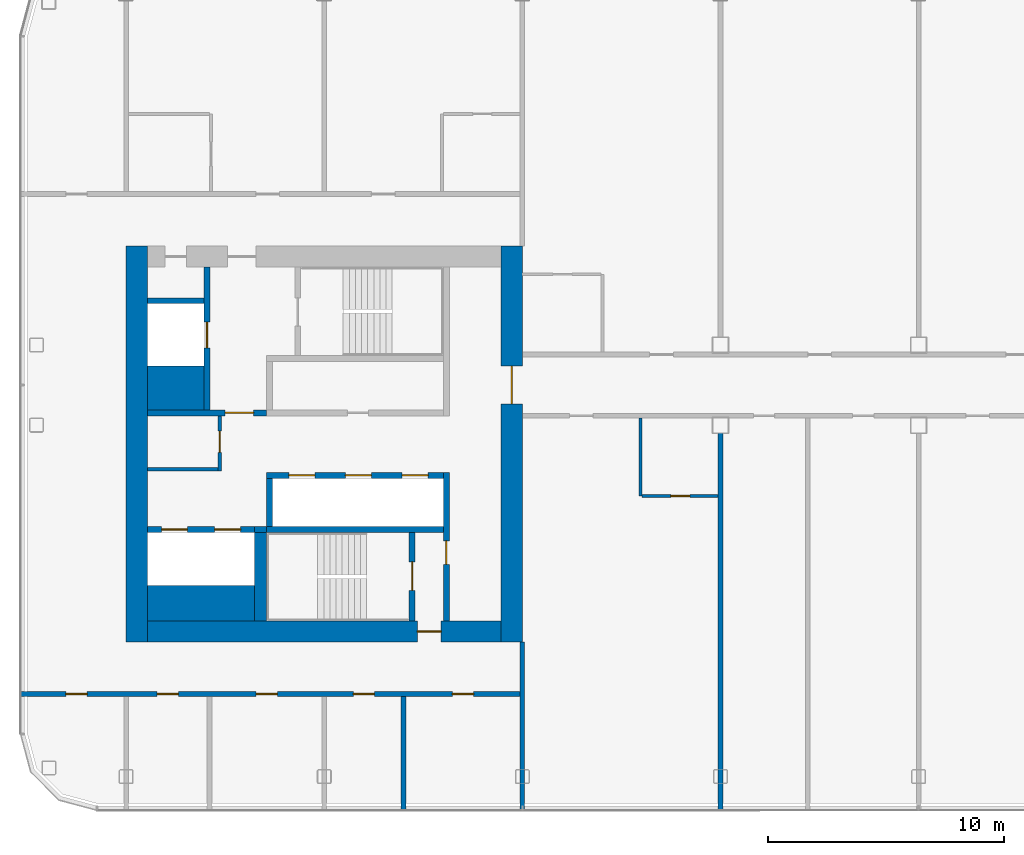
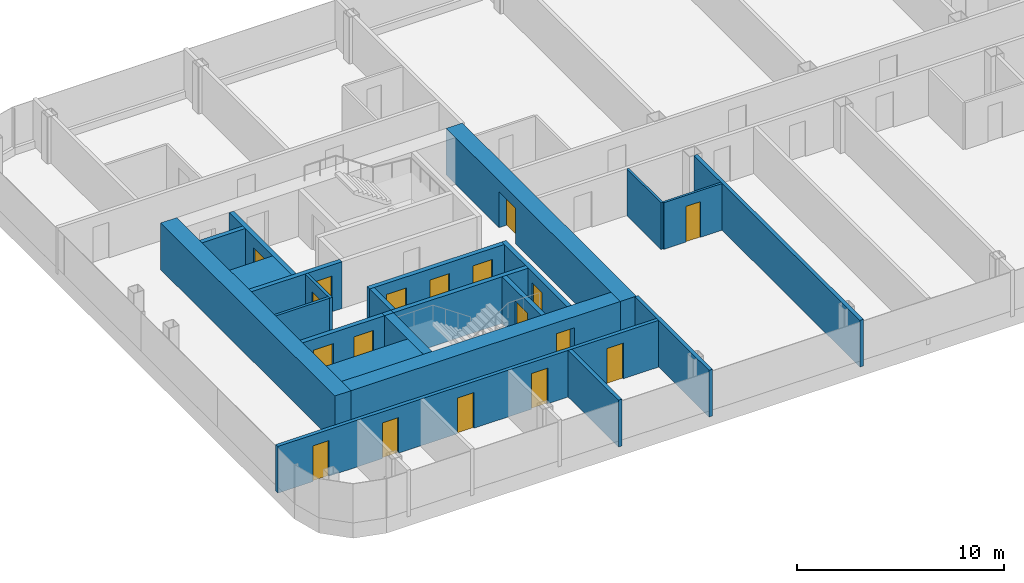
# One storey, part 13 of 25: 24 walls, 18 doors, 18 openings.
"""IFC4 building model written with IfcOpenShell, lengths in metres."""

from ifc_helpers import new_model, si_unit, direction, frame, frame_2d, origin, place, context, subcontext, project, spatial, rectangle, extrude, material, layer, layer_set, type_object, element, fill, save


model = new_model("IFC4")

# Units and contexts
model_context = context("Model", 3, precision=1e-05, world=origin(), true_north=direction((0.0, 1.0)))
body_context = subcontext(model_context, "Body", "Model", "MODEL_VIEW")
ifc_project = project(units=[si_unit("LENGTHUNIT", "METRE"), si_unit("AREAUNIT", "SQUARE_METRE"), si_unit("VOLUMEUNIT", "CUBIC_METRE"), si_unit("PLANEANGLEUNIT", "RADIAN"), si_unit("MASSUNIT", "GRAM", prefix="KILO")], contexts=[model_context])

# Site, building, storey
site_placement = place(None, origin())
site = spatial("IfcSite", under=ifc_project, at=site_placement, CompositionType="ELEMENT")
building_placement = place(site_placement, origin())
building = spatial("IfcBuilding", under=site, at=building_placement, Name="Hakoniwa Tower and Hamabe Station Hall", CompositionType="ELEMENT")
storey_placement = place(building_placement, frame((0.0, 0.0, 202.60009765625)))
storey = spatial("IfcBuildingStorey", under=building, at=storey_placement, Name="L57", CompositionType="ELEMENT", Elevation=202.60009765625)

# Wall, opening, door
ifc_material_1 = material(Name="Gypsum board partition", Category="gypsum")
ifc_layer_1 = layer(ifc_material_1, 0.125)
ifc_layer_set_1 = layer_set([ifc_layer_1], Name="Bathroom Partition 125")
wall_type_1 = type_object("IfcWallType", Name="Bathroom Partition 125", PredefinedType="PARTITIONING", material=ifc_layer_set_1)
wall_1_placement = place(storey_placement, frame((-11.737548828125, -2.199951171875, 0.0), z_axis=(0.0, 0.0, 1.0), x_axis=(1.0, 0.0, 0.0)))
wall_1 = element("IfcWall", 1, at=wall_1_placement, inside=storey, type_object=wall_type_1, Name="GW-L57-003", PredefinedType="PARTITIONING", context=body_context, shape_type="SweptSolid", body=[
    extrude(rectangle(XDim=3.237548828125, YDim=0.125, at=frame_2d((1.61865234375, 0.0))), origin(), (0.0, 0.0, 1.0), 2.75),
])
opening_1_placement = place(wall_1_placement, frame((1.237548828125, 0.0, 0.0)))
opening_1 = element("IfcOpeningElement", 2, at=opening_1_placement, cuts=wall_1, Name="Opening GD-G4A1-10", PredefinedType="OPENING", context=body_context, shape_type="SweptSolid", body=[
    extrude(rectangle(XDim=0.800048828125, YDim=2.10009765625, at=frame_2d((0.39990234375, 1.050048828125))), frame((0.0, 0.072509765625, 0.0), z_axis=(0.0, -1.0, 0.0), x_axis=(1.0, 0.0, 0.0)), (0.0, 0.0, 1.0), 0.14501953125),
])
ifc_material_2 = material(Name="Timber door leaf", Category="wood")
door_type_1 = type_object("IfcDoorType", Name="Bathroom Door 800", OperationType="SINGLE_SWING_LEFT", PredefinedType="DOOR", material=ifc_material_2)
door_1_placement = place(opening_1_placement, origin())
door_1 = element("IfcDoor", 3, at=door_1_placement, inside=storey, type_object=door_type_1, Name="Door GD-G4A1-10", OperationType="SINGLE_SWING_RIGHT", OverallHeight=2.10009765625, OverallWidth=0.800048828125, PredefinedType="DOOR", context=body_context, shape_type="SweptSolid", body=[
    extrude(rectangle(XDim=0.800048828125, YDim=2.10009765625, at=frame_2d((0.39990234375, 1.050048828125))), frame((0.0, 0.02490234375, 0.0), z_axis=(0.0, -1.0, 0.0), x_axis=(1.0, 0.0, 0.0)), (0.0, 0.0, 1.0), 0.050048828125),
])
fill(opening_1, door_1)

# Wall
wall_2_placement = place(storey_placement, frame((-11.800048828125, -2.199951171875, 0.0), z_axis=(0.0, 0.0, 1.0), x_axis=(0.0, 1.0, 0.0)))
element("IfcWall", 4, at=wall_2_placement, inside=storey, type_object=wall_type_1, Name="GW-L57-026", PredefinedType="PARTITIONING", context=body_context, shape_type="SweptSolid", body=[
    extrude(rectangle(XDim=3.300048828125, YDim=0.125, at=frame_2d((1.64990234375, 0.0))), origin(), (0.0, 0.0, 1.0), 2.75),
])

# Wall, opening, door
ifc_material_3 = material(Name="Gypsum board partition")
ifc_layer_2 = layer(ifc_material_3, 0.14990234375)
ifc_layer_set_2 = layer_set([ifc_layer_2], Name="CORE PARTITION 150 EI 60")
wall_type_2 = type_object("IfcWallType", Name="CORE PARTITION 150 EI 60", PredefinedType="PARTITIONING", material=ifc_layer_set_2)
wall_3_placement = place(storey_placement, frame((-29.625, -1.14990234375, 0.0), z_axis=(0.0, 0.0, 1.0), x_axis=(0.0, 1.0, 0.0)))
wall_3 = element("IfcWall", 5, at=wall_3_placement, inside=storey, type_object=wall_type_2, Name="Core partition PW0 west", PredefinedType="PARTITIONING", context=body_context, shape_type="SweptSolid", body=[
    extrude(rectangle(XDim=2.349853515625, YDim=0.14990234375, at=frame_2d((1.1748046875, 0.0))), origin(), (0.0, 0.0, 1.0), 2.75),
])
opening_2_placement = place(wall_3_placement, frame((0.800048828125, 0.0, 0.0)))
opening_2 = element("IfcOpeningElement", 6, at=opening_2_placement, cuts=wall_3, Name="Opening CD-W-RM1-9", PredefinedType="OPENING", context=body_context, shape_type="SweptSolid", body=[
    extrude(rectangle(XDim=0.89990234375, YDim=2.10009765625, at=frame_2d((0.449951171875, 1.050048828125))), frame((0.0, 0.0849609375, 0.0), z_axis=(0.0, -1.0, 0.0), x_axis=(1.0, 0.0, 0.0)), (0.0, 0.0, 1.0), 0.169921875),
])
ifc_material_4 = material(Name="Steel fire door", Category="steel")
door_type_2 = type_object("IfcDoorType", Name="CORE DOOR 900 FD30", OperationType="NOTDEFINED", PredefinedType="DOOR", material=ifc_material_4)
door_2_placement = place(opening_2_placement, origin())
door_2 = element("IfcDoor", 7, at=door_2_placement, inside=storey, type_object=door_type_2, Name="Store room door", OperationType="SINGLE_SWING_RIGHT", OverallHeight=2.10009765625, OverallWidth=0.89990234375, PredefinedType="DOOR", context=body_context, shape_type="SweptSolid", body=[
    extrude(rectangle(XDim=0.89990234375, YDim=2.10009765625, at=frame_2d((0.449951171875, 1.050048828125))), frame((0.0, 0.02490234375, 0.0), z_axis=(0.0, -1.0, 0.0), x_axis=(1.0, 0.0, 0.0)), (0.0, 0.0, 1.0), 0.050048828125),
])
fill(opening_2, door_2)

# Wall
wall_4_placement = place(storey_placement, frame((-32.699951171875, -1.074951171875, 0.0), z_axis=(0.0, 0.0, 1.0), x_axis=(1.0, 0.0, 0.0)))
element("IfcWall", 8, at=wall_4_placement, inside=storey, type_object=wall_type_2, Name="Core partition PS west", PredefinedType="PARTITIONING", context=body_context, shape_type="SweptSolid", body=[
    extrude(rectangle(XDim=3.0, YDim=0.14990234375, at=frame_2d((1.5, 0.0))), origin(), (0.0, 0.0, 1.0), 2.75),
])

# Wall, opening, door
ifc_material_5 = material(Name="Concrete C60", Category="concrete")
ifc_layer_3 = layer(ifc_material_5, 0.89990234375)
ifc_layer_set_3 = layer_set([ifc_layer_3], Name="CORE WALL 900 C60")
wall_type_3 = type_object("IfcWallType", Name="CORE WALL 900 C60", PredefinedType="SHEAR", material=ifc_layer_set_3)
wall_5_placement = place(storey_placement, frame((-17.25, -8.39990234375, 0.0), z_axis=(0.0, 0.0, 1.0), x_axis=(0.0, 1.0, 0.0)))
wall_5 = element("IfcWall", 9, at=wall_5_placement, inside=storey, type_object=wall_type_3, Name="Core wall INNER west", PredefinedType="SHEAR", context=body_context, shape_type="SweptSolid", body=[
    extrude(rectangle(XDim=16.7998046875, YDim=0.89990234375, at=frame_2d((8.39990234375, 0.0))), origin(), (0.0, 0.0, 1.0), 2.75),
])
opening_3_placement = place(wall_5_placement, frame((10.10009765625, 0.0, 0.0)))
opening_3 = element("IfcOpeningElement", 10, at=opening_3_placement, cuts=wall_5, Name="Opening CD-W-IN1-16", PredefinedType="OPENING", context=body_context, shape_type="SweptSolid", body=[
    extrude(rectangle(XDim=1.60009765625, YDim=2.10009765625, at=frame_2d((0.800048828125, 1.050048828125))), frame((0.0, 0.4599609375, 0.0), z_axis=(0.0, -1.0, 0.0), x_axis=(1.0, 0.0, 0.0)), (0.0, 0.0, 1.0), 0.919921875),
])
ifc_material_6 = material(Name="Steel fire door", Category="steel")
door_type_3 = type_object("IfcDoorType", Name="CORE DOOR 1600 FD60", OperationType="DOUBLE_DOOR_SINGLE_SWING", PredefinedType="DOOR", material=ifc_material_6)
door_3_placement = place(opening_3_placement, origin())
door_3 = element("IfcDoor", 11, at=door_3_placement, inside=storey, type_object=door_type_3, Name="Lift lobby door", OperationType="DOUBLE_DOOR_SINGLE_SWING", OverallHeight=2.10009765625, OverallWidth=1.60009765625, PredefinedType="DOOR", context=body_context, shape_type="SweptSolid", body=[
    extrude(rectangle(XDim=1.60009765625, YDim=2.10009765625, at=frame_2d((0.800048828125, 1.050048828125))), frame((0.0, 0.02490234375, 0.0), z_axis=(0.0, -1.0, 0.0), x_axis=(1.0, 0.0, 0.0)), (0.0, 0.0, 1.0), 0.050048828125),
])
fill(opening_3, door_3)

# Wall
wall_6_placement = place(storey_placement, frame((-33.14990234375, -8.39990234375, 0.0), z_axis=(0.0, 0.0, 1.0), x_axis=(0.0, 1.0, 0.0)))
element("IfcWall", 12, at=wall_6_placement, inside=storey, type_object=wall_type_3, Name="Core wall OUTER west", PredefinedType="SHEAR", context=body_context, shape_type="SweptSolid", body=[
    extrude(rectangle(XDim=16.7998046875, YDim=0.89990234375, at=frame_2d((8.39990234375, 0.0))), origin(), (0.0, 0.0, 1.0), 2.75),
])

# Wall, opening, door
wall_7_placement = place(storey_placement, frame((-32.699951171875, -7.949951171875, 0.0), z_axis=(0.0, 0.0, 1.0), x_axis=(1.0, 0.0, 0.0)))
wall_7 = element("IfcWall", 13, at=wall_7_placement, inside=storey, type_object=wall_type_3, Name="Core wall SOUTH west", PredefinedType="SHEAR", context=body_context, shape_type="SweptSolid", body=[
    extrude(rectangle(XDim=15.0, YDim=0.89990234375, at=frame_2d((7.5, 0.0))), origin(), (0.0, 0.0, 1.0), 2.75),
])
opening_4_placement = place(wall_7_placement, frame((11.449951171875, 0.0, 0.0)))
opening_4 = element("IfcOpeningElement", 14, at=opening_4_placement, cuts=wall_7, Name="Opening CD-W-FS3-10", PredefinedType="OPENING", context=body_context, shape_type="SweptSolid", body=[
    extrude(rectangle(XDim=1.0, YDim=2.10009765625, at=frame_2d((0.5, 1.050048828125))), frame((0.0, 0.4599609375, 0.0), z_axis=(0.0, -1.0, 0.0), x_axis=(1.0, 0.0, 0.0)), (0.0, 0.0, 1.0), 0.919921875),
])
ifc_material_7 = material(Name="Steel fire door", Category="steel")
door_type_4 = type_object("IfcDoorType", Name="CORE DOOR 1000 FD60", OperationType="NOTDEFINED", PredefinedType="DOOR", material=ifc_material_7)
door_4_placement = place(opening_4_placement, origin())
door_4 = element("IfcDoor", 15, at=door_4_placement, inside=storey, type_object=door_type_4, Name="Stair vestibule door", OperationType="SINGLE_SWING_RIGHT", OverallHeight=2.10009765625, OverallWidth=1.0, PredefinedType="DOOR", context=body_context, shape_type="SweptSolid", body=[
    extrude(rectangle(XDim=1.0, YDim=2.10009765625, at=frame_2d((0.5, 1.050048828125))), frame((0.0, 0.02490234375, 0.0), z_axis=(0.0, -1.0, 0.0), x_axis=(1.0, 0.0, 0.0)), (0.0, 0.0, 1.0), 0.050048828125),
])
fill(opening_4, door_4)

# Walls
ifc_material_8 = material(Name="Concrete C60", Category="concrete")
ifc_layer_4 = layer(ifc_material_8, 1.5)
ifc_layer_set_4 = layer_set([ifc_layer_4], Name="CORE WEB WALL 1500 C60")
wall_type_4 = type_object("IfcWallType", Name="CORE WEB WALL 1500 C60", PredefinedType="SHEAR", material=ifc_layer_set_4)
wall_8_placement = place(storey_placement, frame((-32.699951171875, -6.75, 0.0), z_axis=(0.0, 0.0, 1.0), x_axis=(1.0, 0.0, 0.0)))
element("IfcWall", 16, at=wall_8_placement, inside=storey, type_object=wall_type_4, Name="Core wall SER west", PredefinedType="SHEAR", context=body_context, shape_type="SweptSolid", body=[
    extrude(rectangle(XDim=4.550048828125, YDim=1.5, at=frame_2d((2.27490234375, 0.0))), origin(), (0.0, 0.0, 1.0), 2.75),
])
ifc_material_9 = material(Name="Concrete C60", Category="concrete")
ifc_layer_5 = layer(ifc_material_9, 1.85009765625)
ifc_layer_set_5 = layer_set([ifc_layer_5], Name="CORE WEB WALL 1850 C60")
wall_type_5 = type_object("IfcWallType", Name="CORE WEB WALL 1850 C60", PredefinedType="SHEAR", material=ifc_layer_set_5)
wall_9_placement = place(storey_placement, frame((-32.699951171875, 2.375, 0.0), z_axis=(0.0, 0.0, 1.0), x_axis=(1.0, 0.0, 0.0)))
element("IfcWall", 17, at=wall_9_placement, inside=storey, type_object=wall_type_5, Name="Core wall CA west", PredefinedType="SHEAR", context=body_context, shape_type="SweptSolid", body=[
    extrude(rectangle(XDim=2.39990234375, YDim=1.85009765625, at=frame_2d((1.199951171875, 0.0))), origin(), (0.0, 0.0, 1.0), 2.75),
])

# Wall, opening, door
ifc_material_10 = material(Name="Concrete C60", Category="concrete")
ifc_layer_6 = layer(ifc_material_10, 0.25)
ifc_layer_set_6 = layer_set([ifc_layer_6], Name="CORE WEB WALL 250 C60")
wall_type_6 = type_object("IfcWallType", Name="CORE WEB WALL 250 C60", PredefinedType="SHEAR", material=ifc_layer_set_6)
wall_10_placement = place(storey_placement, frame((-20.02490234375, -7.5, 0.0), z_axis=(0.0, 0.0, 1.0), x_axis=(0.0, 1.0, 0.0)))
wall_10 = element("IfcWall", 18, at=wall_10_placement, inside=storey, type_object=wall_type_6, Name="Core wall W1S west", PredefinedType="SHEAR", context=body_context, shape_type="SweptSolid", body=[
    extrude(rectangle(XDim=6.300048828125, YDim=0.25, at=frame_2d((3.14990234375, 0.0))), origin(), (0.0, 0.0, 1.0), 2.75),
])
opening_5_placement = place(wall_10_placement, frame((2.39990234375, 0.0, 0.0)))
opening_5 = element("IfcOpeningElement", 19, at=opening_5_placement, cuts=wall_10, Name="Opening CD-W-VS-10", PredefinedType="OPENING", context=body_context, shape_type="SweptSolid", body=[
    extrude(rectangle(XDim=1.0, YDim=2.10009765625, at=frame_2d((0.5, 1.050048828125))), frame((0.0, 0.135009765625, 0.0), z_axis=(0.0, -1.0, 0.0), x_axis=(1.0, 0.0, 0.0)), (0.0, 0.0, 1.0), 0.27001953125),
])
door_5_placement = place(opening_5_placement, origin())
door_5 = element("IfcDoor", 20, at=door_5_placement, inside=storey, type_object=door_type_4, Name="Stair vestibule door", OperationType="SINGLE_SWING_LEFT", OverallHeight=2.10009765625, OverallWidth=1.0, PredefinedType="DOOR", context=body_context, shape_type="SweptSolid", body=[
    extrude(rectangle(XDim=1.0, YDim=2.10009765625, at=frame_2d((0.5, 1.050048828125))), frame((0.0, 0.02490234375, 0.0), z_axis=(0.0, -1.0, 0.0), x_axis=(1.0, 0.0, 0.0)), (0.0, 0.0, 1.0), 0.050048828125),
])
fill(opening_5, door_5)

wall_11_placement = place(storey_placement, frame((-32.699951171875, 1.324951171875, 0.0), z_axis=(0.0, 0.0, 1.0), x_axis=(1.0, 0.0, 0.0)))
wall_11 = element("IfcWall", 21, at=wall_11_placement, inside=storey, type_object=wall_type_6, Name="Core wall ELN west", PredefinedType="SHEAR", context=body_context, shape_type="SweptSolid", body=[
    extrude(rectangle(XDim=5.050048828125, YDim=0.25, at=frame_2d((2.52490234375, 0.0))), origin(), (0.0, 0.0, 1.0), 2.75),
])
opening_6_placement = place(wall_11_placement, frame((3.300048828125, 0.0, 0.0)))
opening_6 = element("IfcOpeningElement", 22, at=opening_6_placement, cuts=wall_11, Name="Opening CD-W-FL-12", PredefinedType="OPENING", context=body_context, shape_type="SweptSolid", body=[
    extrude(rectangle(XDim=1.199951171875, YDim=2.10009765625, at=frame_2d((0.60009765625, 1.050048828125))), frame((0.0, 0.135009765625, 0.0), z_axis=(0.0, -1.0, 0.0), x_axis=(1.0, 0.0, 0.0)), (0.0, 0.0, 1.0), 0.27001953125),
])
ifc_material_11 = material(Name="Steel fire door", Category="steel")
door_type_5 = type_object("IfcDoorType", Name="CORE DOOR 1200 FD60", OperationType="DOUBLE_DOOR_SINGLE_SWING", PredefinedType="DOOR", material=ifc_material_11)
door_6_placement = place(opening_6_placement, origin())
door_6 = element("IfcDoor", 23, at=door_6_placement, inside=storey, type_object=door_type_5, Name="Stair vestibule door to the fire-fighting lobby", OperationType="DOUBLE_DOOR_SINGLE_SWING", OverallHeight=2.10009765625, OverallWidth=1.199951171875, PredefinedType="DOOR", context=body_context, shape_type="SweptSolid", body=[
    extrude(rectangle(XDim=1.199951171875, YDim=2.10009765625, at=frame_2d((0.60009765625, 1.050048828125))), frame((0.0, 0.02490234375, 0.0), z_axis=(0.0, -1.0, 0.0), x_axis=(1.0, 0.0, 0.0)), (0.0, 0.0, 1.0), 0.050048828125),
])
fill(opening_6, door_6)

wall_12_placement = place(storey_placement, frame((-30.175048828125, 1.449951171875, 0.0), z_axis=(0.0, 0.0, 1.0), x_axis=(0.0, 1.0, 0.0)))
wall_12 = element("IfcWall", 24, at=wall_12_placement, inside=storey, type_object=wall_type_6, Name="Core wall FFF west", PredefinedType="SHEAR", context=body_context, shape_type="SweptSolid", body=[
    extrude(rectangle(XDim=6.050048828125, YDim=0.25, at=frame_2d((3.02490234375, 0.0))), origin(), (0.0, 0.0, 1.0), 2.75),
])
opening_7_placement = place(wall_12_placement, frame((2.625, 0.0, 0.0)))
opening_7 = element("IfcOpeningElement", 25, at=opening_7_placement, cuts=wall_12, Name="Opening LD-FF1", PredefinedType="OPENING", context=body_context, shape_type="SweptSolid", body=[
    extrude(rectangle(XDim=1.10009765625, YDim=2.10009765625, at=frame_2d((0.550048828125, 1.050048828125))), frame((0.0, 0.135009765625, 0.0), z_axis=(0.0, -1.0, 0.0), x_axis=(1.0, 0.0, 0.0)), (0.0, 0.0, 1.0), 0.27001953125),
])
ifc_material_12 = material(Name="Stainless steel SUS304", Category="steel")
door_type_6 = type_object("IfcDoorType", Name="LIFT LANDING DOOR 1100 FD60", OperationType="DOUBLE_DOOR_SLIDING", PredefinedType="DOOR", material=ifc_material_12)
door_7_placement = place(opening_7_placement, origin())
door_7 = element("IfcDoor", 26, at=door_7_placement, inside=storey, type_object=door_type_6, Name="Lift landing door FF1 L57", OperationType="DOUBLE_DOOR_SLIDING", OverallHeight=2.10009765625, OverallWidth=1.10009765625, PredefinedType="DOOR", context=body_context, shape_type="SweptSolid", body=[
    extrude(rectangle(XDim=1.10009765625, YDim=2.10009765625, at=frame_2d((0.550048828125, 1.050048828125))), frame((0.0, 0.02490234375, 0.0), z_axis=(0.0, -1.0, 0.0), x_axis=(1.0, 0.0, 0.0)), (0.0, 0.0, 1.0), 0.050048828125),
])
fill(opening_7, door_7)

# Wall
wall_13_placement = place(storey_placement, frame((-32.699951171875, 6.074951171875, 0.0), z_axis=(0.0, 0.0, 1.0), x_axis=(1.0, 0.0, 0.0)))
element("IfcWall", 27, at=wall_13_placement, inside=storey, type_object=wall_type_6, Name="Core wall C2 west", PredefinedType="SHEAR", context=body_context, shape_type="SweptSolid", body=[
    extrude(rectangle(XDim=2.39990234375, YDim=0.25, at=frame_2d((1.199951171875, 0.0))), origin(), (0.0, 0.0, 1.0), 2.75),
])

# Wall, openings, doors
wall_14_placement = place(storey_placement, frame((-27.64990234375, -1.324951171875, 0.0), z_axis=(0.0, 0.0, 1.0), x_axis=(1.0, 0.0, 0.0)))
wall_14 = element("IfcWall", 28, at=wall_14_placement, inside=storey, type_object=wall_type_6, Name="Core wall SF west", PredefinedType="SHEAR", context=body_context, shape_type="SweptSolid", body=[
    extrude(rectangle(XDim=7.5, YDim=0.25, at=frame_2d((3.75, 0.0))), origin(), (0.0, 0.0, 1.0), 2.75),
])
opening_8_placement = place(wall_14_placement, frame((5.75, 0.0, 0.0)))
opening_8 = element("IfcOpeningElement", 29, at=opening_8_placement, cuts=wall_14, Name="Opening LD-HR1", PredefinedType="OPENING", context=body_context, shape_type="SweptSolid", body=[
    extrude(rectangle(XDim=1.10009765625, YDim=2.10009765625, at=frame_2d((0.550048828125, 1.050048828125))), frame((0.0, 0.135009765625, 0.0), z_axis=(0.0, -1.0, 0.0), x_axis=(1.0, 0.0, 0.0)), (0.0, 0.0, 1.0), 0.27001953125),
])
opening_9_placement = place(wall_14_placement, frame((3.35009765625, 0.0, 0.0)))
opening_9 = element("IfcOpeningElement", 30, at=opening_9_placement, cuts=wall_14, Name="Opening LD-HR2", PredefinedType="OPENING", context=body_context, shape_type="SweptSolid", body=[
    extrude(rectangle(XDim=1.10009765625, YDim=2.10009765625, at=frame_2d((0.550048828125, 1.050048828125))), frame((0.0, 0.135009765625, 0.0), z_axis=(0.0, -1.0, 0.0), x_axis=(1.0, 0.0, 0.0)), (0.0, 0.0, 1.0), 0.27001953125),
])
opening_10_placement = place(wall_14_placement, frame((0.949951171875, 0.0, 0.0)))
opening_10 = element("IfcOpeningElement", 31, at=opening_10_placement, cuts=wall_14, Name="Opening LD-HR3", PredefinedType="OPENING", context=body_context, shape_type="SweptSolid", body=[
    extrude(rectangle(XDim=1.10009765625, YDim=2.10009765625, at=frame_2d((0.550048828125, 1.050048828125))), frame((0.0, 0.135009765625, 0.0), z_axis=(0.0, -1.0, 0.0), x_axis=(1.0, 0.0, 0.0)), (0.0, 0.0, 1.0), 0.27001953125),
])
door_8_placement = place(opening_8_placement, origin())
door_8 = element("IfcDoor", 32, at=door_8_placement, inside=storey, type_object=door_type_6, Name="Lift landing door HR1 L57", OperationType="DOUBLE_DOOR_SLIDING", OverallHeight=2.10009765625, OverallWidth=1.10009765625, PredefinedType="DOOR", context=body_context, shape_type="SweptSolid", body=[
    extrude(rectangle(XDim=1.10009765625, YDim=2.10009765625, at=frame_2d((0.550048828125, 1.050048828125))), frame((0.0, 0.02490234375, 0.0), z_axis=(0.0, -1.0, 0.0), x_axis=(1.0, 0.0, 0.0)), (0.0, 0.0, 1.0), 0.050048828125),
])
fill(opening_8, door_8)
door_9_placement = place(opening_9_placement, origin())
door_9 = element("IfcDoor", 33, at=door_9_placement, inside=storey, type_object=door_type_6, Name="Lift landing door HR2 L57", OperationType="DOUBLE_DOOR_SLIDING", OverallHeight=2.10009765625, OverallWidth=1.10009765625, PredefinedType="DOOR", context=body_context, shape_type="SweptSolid", body=[
    extrude(rectangle(XDim=1.10009765625, YDim=2.10009765625, at=frame_2d((0.550048828125, 1.050048828125))), frame((0.0, 0.02490234375, 0.0), z_axis=(0.0, -1.0, 0.0), x_axis=(1.0, 0.0, 0.0)), (0.0, 0.0, 1.0), 0.050048828125),
])
fill(opening_9, door_9)
door_10_placement = place(opening_10_placement, origin())
door_10 = element("IfcDoor", 34, at=door_10_placement, inside=storey, type_object=door_type_6, Name="Lift landing door HR3 L57", OperationType="DOUBLE_DOOR_SLIDING", OverallHeight=2.10009765625, OverallWidth=1.10009765625, PredefinedType="DOOR", context=body_context, shape_type="SweptSolid", body=[
    extrude(rectangle(XDim=1.10009765625, YDim=2.10009765625, at=frame_2d((0.550048828125, 1.050048828125))), frame((0.0, 0.02490234375, 0.0), z_axis=(0.0, -1.0, 0.0), x_axis=(1.0, 0.0, 0.0)), (0.0, 0.0, 1.0), 0.050048828125),
])
fill(opening_10, door_10)

# Walls
wall_15_placement = place(storey_placement, frame((-27.52490234375, -3.5, 0.0), z_axis=(0.0, 0.0, 1.0), x_axis=(0.0, 1.0, 0.0)))
element("IfcWall", 35, at=wall_15_placement, inside=storey, type_object=wall_type_6, Name="Core wall SE west", PredefinedType="SHEAR", context=body_context, shape_type="SweptSolid", body=[
    extrude(rectangle(XDim=2.050048828125, YDim=0.25, at=frame_2d((1.02490234375, 0.0))), origin(), (0.0, 0.0, 1.0), 2.75),
])
wall_16_placement = place(storey_placement, frame((-27.64990234375, -3.625, 0.0), z_axis=(0.0, 0.0, 1.0), x_axis=(1.0, 0.0, 0.0)))
element("IfcWall", 36, at=wall_16_placement, inside=storey, type_object=wall_type_6, Name="Core wall SR west", PredefinedType="SHEAR", context=body_context, shape_type="SweptSolid", body=[
    extrude(rectangle(XDim=7.5, YDim=0.25, at=frame_2d((3.75, 0.0))), origin(), (0.0, 0.0, 1.0), 2.75),
])

# Wall, opening, door
wall_17_placement = place(storey_placement, frame((-21.47509765625, -7.5, 0.0), z_axis=(0.0, 0.0, 1.0), x_axis=(0.0, 1.0, 0.0)))
wall_17 = element("IfcWall", 37, at=wall_17_placement, inside=storey, type_object=wall_type_6, Name="Core wall VE west", PredefinedType="SHEAR", context=body_context, shape_type="SweptSolid", body=[
    extrude(rectangle(XDim=3.75, YDim=0.25, at=frame_2d((1.875, 0.0))), origin(), (0.0, 0.0, 1.0), 2.75),
])
opening_11_placement = place(wall_17_placement, frame((1.300048828125, 0.0, 0.0)))
opening_11 = element("IfcOpeningElement", 38, at=opening_11_placement, cuts=wall_17, Name="Opening CD-W-SS-12", PredefinedType="OPENING", context=body_context, shape_type="SweptSolid", body=[
    extrude(rectangle(XDim=1.199951171875, YDim=2.10009765625, at=frame_2d((0.60009765625, 1.050048828125))), frame((0.0, 0.135009765625, 0.0), z_axis=(0.0, -1.0, 0.0), x_axis=(1.0, 0.0, 0.0)), (0.0, 0.0, 1.0), 0.27001953125),
])
door_11_placement = place(opening_11_placement, origin())
door_11 = element("IfcDoor", 39, at=door_11_placement, inside=storey, type_object=door_type_5, Name="Escape stair door", OperationType="DOUBLE_DOOR_SINGLE_SWING", OverallHeight=2.10009765625, OverallWidth=1.199951171875, PredefinedType="DOOR", context=body_context, shape_type="SweptSolid", body=[
    extrude(rectangle(XDim=1.199951171875, YDim=2.10009765625, at=frame_2d((0.60009765625, 1.050048828125))), frame((0.0, 0.02490234375, 0.0), z_axis=(0.0, -1.0, 0.0), x_axis=(1.0, 0.0, 0.0)), (0.0, 0.0, 1.0), 0.050048828125),
])
fill(opening_11, door_11)

# Wall, openings, doors
wall_18_placement = place(storey_placement, frame((-32.699951171875, -3.625, 0.0), z_axis=(0.0, 0.0, 1.0), x_axis=(1.0, 0.0, 0.0)))
wall_18 = element("IfcWall", 40, at=wall_18_placement, inside=storey, type_object=wall_type_6, Name="Core wall SEF west", PredefinedType="SHEAR", context=body_context, shape_type="SweptSolid", body=[
    extrude(rectangle(XDim=4.550048828125, YDim=0.25, at=frame_2d((2.27490234375, 0.0))), origin(), (0.0, 0.0, 1.0), 2.75),
])
opening_12_placement = place(wall_18_placement, frame((2.85009765625, 0.0, 0.0)))
opening_12 = element("IfcOpeningElement", 41, at=opening_12_placement, cuts=wall_18, Name="Opening LD-SV1", PredefinedType="OPENING", context=body_context, shape_type="SweptSolid", body=[
    extrude(rectangle(XDim=1.10009765625, YDim=2.10009765625, at=frame_2d((0.550048828125, 1.050048828125))), frame((0.0, 0.135009765625, 0.0), z_axis=(0.0, -1.0, 0.0), x_axis=(1.0, 0.0, 0.0)), (0.0, 0.0, 1.0), 0.27001953125),
])
opening_13_placement = place(wall_18_placement, frame((0.60009765625, 0.0, 0.0)))
opening_13 = element("IfcOpeningElement", 42, at=opening_13_placement, cuts=wall_18, Name="Opening LD-SV2", PredefinedType="OPENING", context=body_context, shape_type="SweptSolid", body=[
    extrude(rectangle(XDim=1.10009765625, YDim=2.10009765625, at=frame_2d((0.550048828125, 1.050048828125))), frame((0.0, 0.135009765625, 0.0), z_axis=(0.0, -1.0, 0.0), x_axis=(1.0, 0.0, 0.0)), (0.0, 0.0, 1.0), 0.27001953125),
])
door_12_placement = place(opening_12_placement, origin())
door_12 = element("IfcDoor", 43, at=door_12_placement, inside=storey, type_object=door_type_6, Name="Lift landing door SV1 L57", OperationType="DOUBLE_DOOR_SLIDING", OverallHeight=2.10009765625, OverallWidth=1.10009765625, PredefinedType="DOOR", context=body_context, shape_type="SweptSolid", body=[
    extrude(rectangle(XDim=1.10009765625, YDim=2.10009765625, at=frame_2d((0.550048828125, 1.050048828125))), frame((0.0, 0.02490234375, 0.0), z_axis=(0.0, -1.0, 0.0), x_axis=(1.0, 0.0, 0.0)), (0.0, 0.0, 1.0), 0.050048828125),
])
fill(opening_12, door_12)
door_13_placement = place(opening_13_placement, origin())
door_13 = element("IfcDoor", 44, at=door_13_placement, inside=storey, type_object=door_type_6, Name="Lift landing door SV2 L57", OperationType="DOUBLE_DOOR_SLIDING", OverallHeight=2.10009765625, OverallWidth=1.10009765625, PredefinedType="DOOR", context=body_context, shape_type="SweptSolid", body=[
    extrude(rectangle(XDim=1.10009765625, YDim=2.10009765625, at=frame_2d((0.550048828125, 1.050048828125))), frame((0.0, 0.02490234375, 0.0), z_axis=(0.0, -1.0, 0.0), x_axis=(1.0, 0.0, 0.0)), (0.0, 0.0, 1.0), 0.050048828125),
])
fill(opening_13, door_13)

# Walls
wall_19_placement = place(storey_placement, frame((-28.14990234375, -3.625, 0.0), z_axis=(0.0, 0.0, 1.0), x_axis=(1.0, 0.0, 0.0)))
element("IfcWall", 45, at=wall_19_placement, inside=storey, type_object=wall_type_6, Name="Core wall SRK west", PredefinedType="SHEAR", context=body_context, shape_type="SweptSolid", body=[
    extrude(rectangle(XDim=0.5, YDim=0.25, at=frame_2d((0.25, 0.0))), origin(), (0.0, 0.0, 1.0), 2.75),
])
ifc_material_13 = material(Name="Concrete C60", Category="concrete")
ifc_layer_7 = layer(ifc_material_13, 0.5)
ifc_layer_set_7 = layer_set([ifc_layer_7], Name="CORE WEB WALL 500 C60")
wall_type_7 = type_object("IfcWallType", Name="CORE WEB WALL 500 C60", PredefinedType="SHEAR", material=ifc_layer_set_7)
wall_20_placement = place(storey_placement, frame((-27.89990234375, -7.5, 0.0), z_axis=(0.0, 0.0, 1.0), x_axis=(0.0, 1.0, 0.0)))
element("IfcWall", 46, at=wall_20_placement, inside=storey, type_object=wall_type_7, Name="Core wall SSE west", PredefinedType="SHEAR", context=body_context, shape_type="SweptSolid", body=[
    extrude(rectangle(XDim=3.75, YDim=0.5, at=frame_2d((1.875, 0.0))), origin(), (0.0, 0.0, 1.0), 2.75),
])

# Wall, openings, doors
ifc_material_14 = material(Name="Fire-rated gypsum board partition", Category="gypsum")
ifc_layer_8 = layer(ifc_material_14, 0.199951171875)
ifc_layer_set_8 = layer_set([ifc_layer_8], Name="Corridor Wall 200")
wall_type_8 = type_object("IfcWallType", Name="Corridor Wall 200", PredefinedType="PARTITIONING", material=ifc_layer_set_8)
wall_21_placement = place(storey_placement, frame((-38.10009765625, -10.60009765625, 0.0), z_axis=(0.0, 0.0, 1.0), x_axis=(1.0, 0.0, 0.0)))
wall_21 = element("IfcWall", 47, at=wall_21_placement, inside=storey, type_object=wall_type_8, Name="GW-L57-001", PredefinedType="PARTITIONING", context=body_context, shape_type="SweptSolid", body=[
    extrude(rectangle(XDim=21.300048828125, YDim=0.199951171875, at=frame_2d((10.64990234375, 0.0))), origin(), (0.0, 0.0, 1.0), 2.75),
])
opening_14_placement = place(wall_21_placement, frame((1.949951171875, 0.0, 0.0)))
opening_14 = element("IfcOpeningElement", 48, at=opening_14_placement, cuts=wall_21, Name="Opening GD-G4A1-01", PredefinedType="OPENING", context=body_context, shape_type="SweptSolid", body=[
    extrude(rectangle(XDim=0.89990234375, YDim=2.10009765625, at=frame_2d((0.449951171875, 1.050048828125))), frame((0.0, 0.10986328125, 0.0), z_axis=(0.0, -1.0, 0.0), x_axis=(1.0, 0.0, 0.0)), (0.0, 0.0, 1.0), 0.219970703125),
])
opening_15_placement = place(wall_21_placement, frame((5.81494140625, 0.0, 0.0)))
opening_15 = element("IfcOpeningElement", 49, at=opening_15_placement, cuts=wall_21, Name="Opening GD-G4A1-02", PredefinedType="OPENING", context=body_context, shape_type="SweptSolid", body=[
    extrude(rectangle(XDim=0.89990234375, YDim=2.10009765625, at=frame_2d((0.449951171875, 1.050048828125))), frame((0.0, 0.10986328125, 0.0), z_axis=(0.0, -1.0, 0.0), x_axis=(1.0, 0.0, 0.0)), (0.0, 0.0, 1.0), 0.219970703125),
])
opening_16_placement = place(wall_21_placement, frame((10.014892578125, 0.0, 0.0)))
opening_16 = element("IfcOpeningElement", 50, at=opening_16_placement, cuts=wall_21, Name="Opening GD-G4A1-03", PredefinedType="OPENING", context=body_context, shape_type="SweptSolid", body=[
    extrude(rectangle(XDim=0.89990234375, YDim=2.10009765625, at=frame_2d((0.449951171875, 1.050048828125))), frame((0.0, 0.10986328125, 0.0), z_axis=(0.0, -1.0, 0.0), x_axis=(1.0, 0.0, 0.0)), (0.0, 0.0, 1.0), 0.219970703125),
])
opening_17_placement = place(wall_21_placement, frame((14.1298828125, 0.0, 0.0)))
opening_17 = element("IfcOpeningElement", 51, at=opening_17_placement, cuts=wall_21, Name="Opening GD-G4A1-04", PredefinedType="OPENING", context=body_context, shape_type="SweptSolid", body=[
    extrude(rectangle(XDim=0.89990234375, YDim=2.10009765625, at=frame_2d((0.449951171875, 1.050048828125))), frame((0.0, 0.10986328125, 0.0), z_axis=(0.0, -1.0, 0.0), x_axis=(1.0, 0.0, 0.0)), (0.0, 0.0, 1.0), 0.219970703125),
])
opening_18_placement = place(wall_21_placement, frame((18.330078125, 0.0, 0.0)))
opening_18 = element("IfcOpeningElement", 52, at=opening_18_placement, cuts=wall_21, Name="Opening GD-G4A1-05", PredefinedType="OPENING", context=body_context, shape_type="SweptSolid", body=[
    extrude(rectangle(XDim=0.89990234375, YDim=2.10009765625, at=frame_2d((0.449951171875, 1.050048828125))), frame((0.0, 0.10986328125, 0.0), z_axis=(0.0, -1.0, 0.0), x_axis=(1.0, 0.0, 0.0)), (0.0, 0.0, 1.0), 0.219970703125),
])
ifc_material_15 = material(Name="Timber door leaf", Category="wood")
door_type_7 = type_object("IfcDoorType", Name="Service Door 900", OperationType="SINGLE_SWING_LEFT", PredefinedType="DOOR", material=ifc_material_15)
door_14_placement = place(opening_14_placement, origin())
door_14 = element("IfcDoor", 53, at=door_14_placement, inside=storey, type_object=door_type_7, Name="Door GD-G4A1-01", OperationType="SINGLE_SWING_RIGHT", OverallHeight=2.10009765625, OverallWidth=0.89990234375, PredefinedType="DOOR", context=body_context, shape_type="SweptSolid", body=[
    extrude(rectangle(XDim=0.89990234375, YDim=2.10009765625, at=frame_2d((0.449951171875, 1.050048828125))), frame((0.0, 0.02490234375, 0.0), z_axis=(0.0, -1.0, 0.0), x_axis=(1.0, 0.0, 0.0)), (0.0, 0.0, 1.0), 0.050048828125),
])
fill(opening_14, door_14)
door_15_placement = place(opening_15_placement, origin())
door_15 = element("IfcDoor", 54, at=door_15_placement, inside=storey, type_object=door_type_7, Name="Door GD-G4A1-02", OperationType="SINGLE_SWING_RIGHT", OverallHeight=2.10009765625, OverallWidth=0.89990234375, PredefinedType="DOOR", context=body_context, shape_type="SweptSolid", body=[
    extrude(rectangle(XDim=0.89990234375, YDim=2.10009765625, at=frame_2d((0.449951171875, 1.050048828125))), frame((0.0, 0.02490234375, 0.0), z_axis=(0.0, -1.0, 0.0), x_axis=(1.0, 0.0, 0.0)), (0.0, 0.0, 1.0), 0.050048828125),
])
fill(opening_15, door_15)
door_16_placement = place(opening_16_placement, origin())
door_16 = element("IfcDoor", 55, at=door_16_placement, inside=storey, type_object=door_type_7, Name="Door GD-G4A1-03", OperationType="SINGLE_SWING_LEFT", OverallHeight=2.10009765625, OverallWidth=0.89990234375, PredefinedType="DOOR", context=body_context, shape_type="SweptSolid", body=[
    extrude(rectangle(XDim=0.89990234375, YDim=2.10009765625, at=frame_2d((0.449951171875, 1.050048828125))), frame((0.0, 0.02490234375, 0.0), z_axis=(0.0, -1.0, 0.0), x_axis=(1.0, 0.0, 0.0)), (0.0, 0.0, 1.0), 0.050048828125),
])
fill(opening_16, door_16)
door_17_placement = place(opening_17_placement, origin())
door_17 = element("IfcDoor", 56, at=door_17_placement, inside=storey, type_object=door_type_7, Name="Door GD-G4A1-04", OperationType="SINGLE_SWING_RIGHT", OverallHeight=2.10009765625, OverallWidth=0.89990234375, PredefinedType="DOOR", context=body_context, shape_type="SweptSolid", body=[
    extrude(rectangle(XDim=0.89990234375, YDim=2.10009765625, at=frame_2d((0.449951171875, 1.050048828125))), frame((0.0, 0.02490234375, 0.0), z_axis=(0.0, -1.0, 0.0), x_axis=(1.0, 0.0, 0.0)), (0.0, 0.0, 1.0), 0.050048828125),
])
fill(opening_17, door_17)
door_18_placement = place(opening_18_placement, origin())
door_18 = element("IfcDoor", 57, at=door_18_placement, inside=storey, type_object=door_type_7, Name="Door GD-G4A1-05", OperationType="SINGLE_SWING_LEFT", OverallHeight=2.10009765625, OverallWidth=0.89990234375, PredefinedType="DOOR", context=body_context, shape_type="SweptSolid", body=[
    extrude(rectangle(XDim=0.89990234375, YDim=2.10009765625, at=frame_2d((0.449951171875, 1.050048828125))), frame((0.0, 0.02490234375, 0.0), z_axis=(0.0, -1.0, 0.0), x_axis=(1.0, 0.0, 0.0)), (0.0, 0.0, 1.0), 0.050048828125),
])
fill(opening_18, door_18)

# Walls
ifc_material_16 = material(Name="Fire-rated gypsum board partition", Category="gypsum")
ifc_layer_9 = layer(ifc_material_16, 0.199951171875)
ifc_layer_set_9 = layer_set([ifc_layer_9], Name="Party Wall 200")
wall_type_9 = type_object("IfcWallType", Name="Party Wall 200", PredefinedType="PARTITIONING", material=ifc_layer_set_9)
wall_22_placement = place(storey_placement, frame((-21.840087890625, -15.550048828125, 0.0), z_axis=(0.0, 0.0, 1.0), x_axis=(0.0, 1.0, 0.0)))
element("IfcWall", 58, at=wall_22_placement, inside=storey, type_object=wall_type_9, Name="GW-L57-021", PredefinedType="PARTITIONING", context=body_context, shape_type="SweptSolid", body=[
    extrude(rectangle(XDim=4.85009765625, YDim=0.199951171875, at=frame_2d((2.425048828125, 0.0))), origin(), (0.0, 0.0, 1.0), 2.75),
])
wall_23_placement = place(storey_placement, frame((-16.800048828125, -15.550048828125, 0.0), z_axis=(0.0, 0.0, 1.0), x_axis=(0.0, 1.0, 0.0)))
element("IfcWall", 59, at=wall_23_placement, inside=storey, type_object=wall_type_9, Name="GW-L57-023", PredefinedType="PARTITIONING", context=body_context, shape_type="SweptSolid", body=[
    extrude(rectangle(XDim=7.16015625, YDim=0.199951171875, at=frame_2d((3.580078125, 0.0))), origin(), (0.0, 0.0, 1.0), 2.75),
])
wall_24_placement = place(storey_placement, frame((-8.39990234375, -15.550048828125, 0.0), z_axis=(0.0, 0.0, 1.0), x_axis=(0.0, 1.0, 0.0)))
element("IfcWall", 60, at=wall_24_placement, inside=storey, type_object=wall_type_9, Name="GW-L57-027", PredefinedType="PARTITIONING", context=body_context, shape_type="SweptSolid", body=[
    extrude(rectangle(XDim=16.010009765625, YDim=0.199951171875, at=frame_2d((8.0048828125, 0.0))), origin(), (0.0, 0.0, 1.0), 2.75),
])

save(model, "model.ifc")
